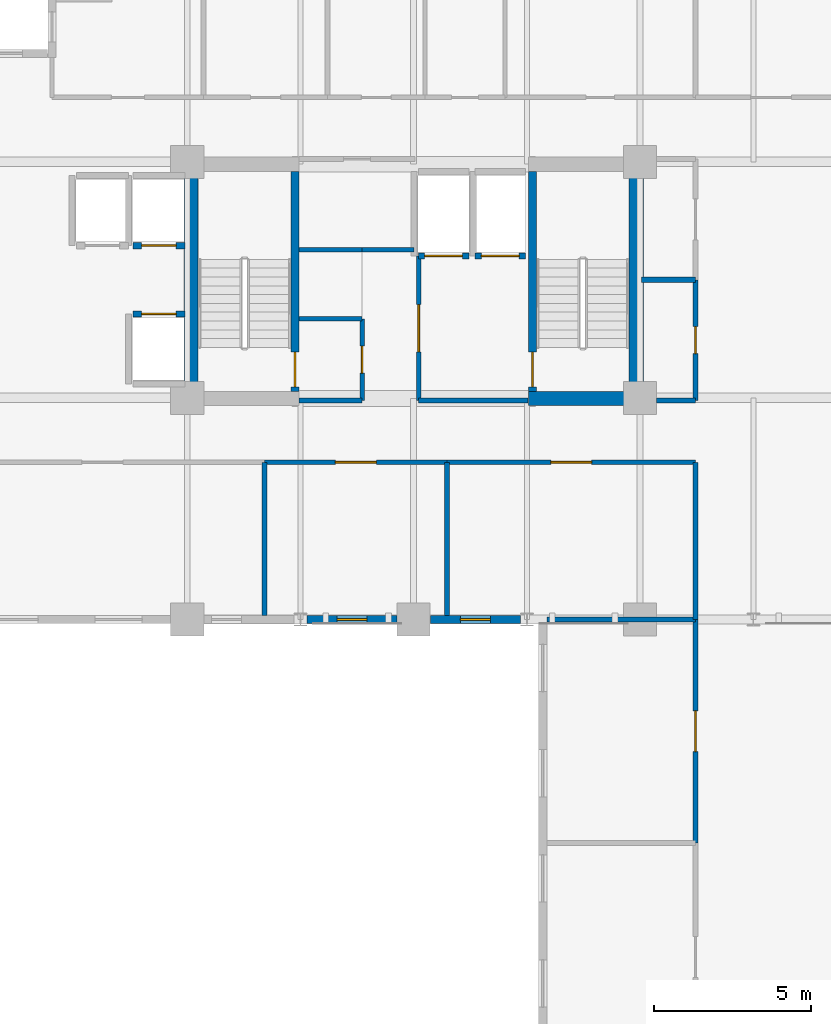
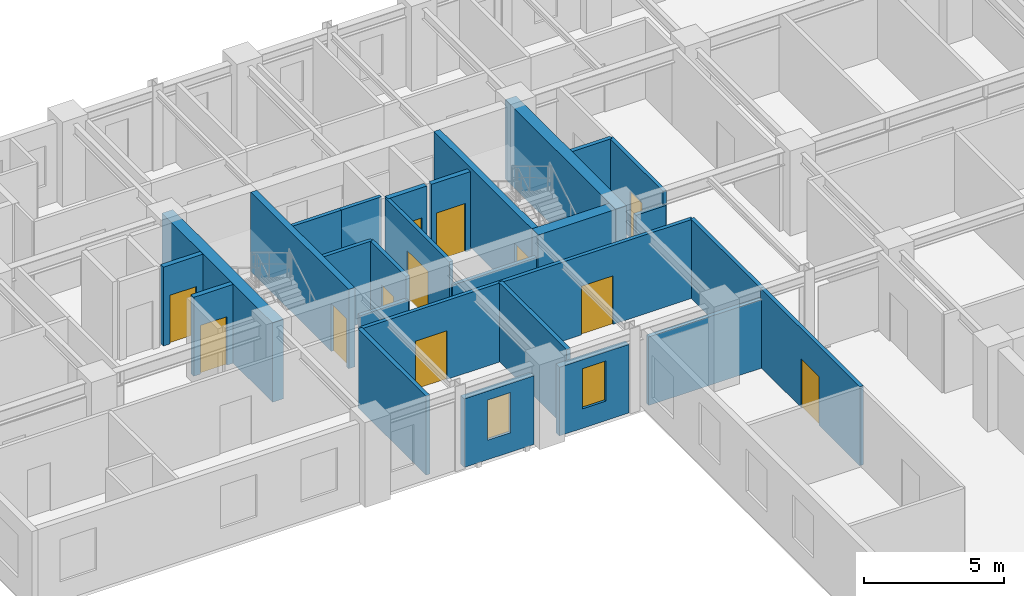
# One storey, part 5 of 13: 28 walls, 12 doors, 2 windows, 14 openings.
"""IFC4 building model written with IfcOpenShell, lengths in metres."""

from ifc_helpers import new_model, si_unit, direction, frame, frame_2d, origin, place, context, subcontext, project, spatial, rectangle, extrude, material, layer, layer_set, type_object, element, fill, save


model = new_model("IFC4")

# Units and contexts
model_context = context("Model", 3, precision=1e-05, world=origin(), true_north=direction((0.0, 1.0)))
body_context = subcontext(model_context, "Body", "Model", "MODEL_VIEW")
ifc_project = project(units=[si_unit("LENGTHUNIT", "METRE"), si_unit("AREAUNIT", "SQUARE_METRE"), si_unit("VOLUMEUNIT", "CUBIC_METRE"), si_unit("PLANEANGLEUNIT", "RADIAN"), si_unit("MASSUNIT", "GRAM", prefix="KILO")], contexts=[model_context])

# Site, building, storey
site_placement = place(None, origin())
site = spatial("IfcSite", under=ifc_project, at=site_placement, CompositionType="ELEMENT")
building_placement = place(site_placement, origin())
building = spatial("IfcBuilding", under=site, at=building_placement, Name="Kaliganga Portal Commons", CompositionType="ELEMENT")
storey_placement = place(building_placement, frame((0.0, 0.0, 180.89990234375)))
storey = spatial("IfcBuildingStorey", under=building, at=storey_placement, Name="L46", CompositionType="ELEMENT", Elevation=180.89990234375)

# Walls
ifc_material_1 = material(Name="Concrete C60/75", Category="concrete")
ifc_layer_1 = layer(ifc_material_1, 0.449951171875)
ifc_layer_set_1 = layer_set([ifc_layer_1], Name="Concrete C60/75")
wall_type_1 = type_object("IfcWallType", Name="WL-CORE-450", PredefinedType="SHEAR", material=ifc_layer_set_1)
for number, where, z_axis, x_axis, name in (
    (1, (14.52490234375, 28.39990234375, 0.0), (0.0, 0.0, 1.0), (0.0, 1.0, 0.0), "Core A West Shear Wall L46"),
    (2, (28.675048828125, 28.39990234375, 0.0), (0.0, 0.0, 1.0), (0.0, 1.0, 0.0), "Core A East Shear Wall L46"),
):
    element("IfcWall", number, at=place(storey_placement, frame(where, z_axis=z_axis, x_axis=x_axis)), inside=storey, type_object=wall_type_1, Name=name, PredefinedType="SHEAR", context=body_context, shape_type="SweptSolid", body=[
        extrude(rectangle(XDim=7.900146484375, YDim=0.449951171875, at=frame_2d((3.9501953125, 0.0))), origin(), (0.0, 0.0, 1.0), 3.460205078125),
    ])
wall_1_placement = place(storey_placement, frame((25.25, 28.625, 0.0), z_axis=(0.0, 0.0, 1.0), x_axis=(1.0, 0.0, 0.0)))
element("IfcWall", 3, at=wall_1_placement, inside=storey, type_object=wall_type_1, Name="Core A S-East Shear Wall L46", PredefinedType="SHEAR", context=body_context, shape_type="SweptSolid", body=[
    extrude(rectangle(XDim=3.199951171875, YDim=0.449951171875, at=frame_2d((1.60009765625, 0.0))), origin(), (0.0, 0.0, 1.0), 3.460205078125),
])

# Wall, opening, window
ifc_material_2 = material(Name="Insulated Aluminium-Clad Spandrel Assembly", Category="aluminium")
ifc_layer_2 = layer(ifc_material_2, 0.260009765625)
ifc_layer_set_2 = layer_set([ifc_layer_2], Name="Insulated Aluminium-Clad Spandrel Assembly")
wall_type_2 = type_object("IfcWallType", Name="WL-EXT-SPAND-260", PredefinedType="STANDARD", material=ifc_layer_set_2)
wall_2_placement = place(storey_placement, frame((21.073974609375, 21.60009765625, 0.0), z_axis=(0.0, 0.0, 1.0), x_axis=(-1.0, 0.0, 0.0)))
wall_2 = element("IfcWall", 4, at=wall_2_placement, inside=storey, type_object=wall_type_2, Name="Exterior Envelope Wall L46 P1-E10-S3", PredefinedType="STANDARD", context=body_context, shape_type="SweptSolid", body=[
    extrude(rectangle(XDim=2.87109375, YDim=0.260009765625, at=frame_2d((1.435546875, 0.0))), origin(), (0.0, 0.0, 1.0), 2.989990234375),
])
opening_1_placement = place(wall_2_placement, frame((0.96044921875, 0.0, 0.85009765625)))
opening_1 = element("IfcOpeningElement", 5, at=opening_1_placement, cuts=wall_2, Name="Opening W-04", PredefinedType="OPENING", context=body_context, shape_type="SweptSolid", body=[
    extrude(rectangle(XDim=0.949951171875, YDim=1.75, at=frame_2d((0.47509765625, 0.875))), frame((0.0, 0.14013671875, 0.0), z_axis=(0.0, -1.0, 0.0), x_axis=(1.0, 0.0, 0.0)), (0.0, 0.0, 1.0), 0.280029296875),
])
ifc_material_3 = material(Name="Thermally Broken Aluminium and Low-E Double Glazing", Category="aluminium")
window_type = type_object("IfcWindowType", Name="WIN-NARROW-950", PartitioningType="SINGLE_PANEL", PredefinedType="WINDOW", material=ifc_material_3)
window_1_placement = place(opening_1_placement, origin())
window_1 = element("IfcWindow", 6, at=window_1_placement, inside=storey, type_object=window_type, Name="Facade Window L46-P1E10S3-00", OverallHeight=1.75, OverallWidth=0.949951171875, PartitioningType="SINGLE_PANEL", PredefinedType="WINDOW", context=body_context, shape_type="SweptSolid", body=[
    extrude(rectangle(XDim=0.949951171875, YDim=1.75, at=frame_2d((0.47509765625, 0.875))), frame((0.0, 0.030029296875, 0.0), z_axis=(0.0, -1.0, 0.0), x_axis=(1.0, 0.0, 0.0)), (0.0, 0.0, 1.0), 0.06005859375),
])
fill(opening_1, window_1)

wall_3_placement = place(storey_placement, frame((24.9970703125, 21.60009765625, 0.0), z_axis=(0.0, 0.0, 1.0), x_axis=(-1.0, 0.0, 0.0)))
wall_3 = element("IfcWall", 7, at=wall_3_placement, inside=storey, type_object=wall_type_2, Name="Exterior Envelope Wall L46 P1-E10-S4", PredefinedType="STANDARD", context=body_context, shape_type="SweptSolid", body=[
    extrude(rectangle(XDim=2.87109375, YDim=0.260009765625, at=frame_2d((1.435546875, 0.0))), origin(), (0.0, 0.0, 1.0), 2.989990234375),
])
opening_2_placement = place(wall_3_placement, frame((0.96044921875, 0.0, 0.85009765625)))
opening_2 = element("IfcOpeningElement", 8, at=opening_2_placement, cuts=wall_3, Name="Opening W-04", PredefinedType="OPENING", context=body_context, shape_type="SweptSolid", body=[
    extrude(rectangle(XDim=0.949951171875, YDim=1.75, at=frame_2d((0.47509765625, 0.875))), frame((0.0, 0.14013671875, 0.0), z_axis=(0.0, -1.0, 0.0), x_axis=(1.0, 0.0, 0.0)), (0.0, 0.0, 1.0), 0.280029296875),
])
window_2_placement = place(opening_2_placement, origin())
window_2 = element("IfcWindow", 9, at=window_2_placement, inside=storey, type_object=window_type, Name="Facade Window L46-P1E10S4-00", OverallHeight=1.75, OverallWidth=0.949951171875, PartitioningType="SINGLE_PANEL", PredefinedType="WINDOW", context=body_context, shape_type="SweptSolid", body=[
    extrude(rectangle(XDim=0.949951171875, YDim=1.75, at=frame_2d((0.47509765625, 0.875))), frame((0.0, 0.030029296875, 0.0), z_axis=(0.0, -1.0, 0.0), x_axis=(1.0, 0.0, 0.0)), (0.0, 0.0, 1.0), 0.06005859375),
])
fill(opening_2, window_2)

# Wall, opening, door
ifc_material_4 = material(Name="Fire-Rated Gypsum Board on Steel Stud", Category="steel")
ifc_layer_3 = layer(ifc_material_4, 0.14990234375)
ifc_layer_set_3 = layer_set([ifc_layer_3], Name="Fire-Rated Gypsum Board on Steel Stud")
wall_type_3 = type_object("IfcWallType", Name="WL-PART-CORR-150", PredefinedType="PARTITIONING", material=ifc_layer_set_3)
wall_4_placement = place(storey_placement, frame((22.659912109375, 26.60009765625, 0.0), z_axis=(0.0, 0.0, 1.0), x_axis=(1.0, 0.0, 0.0)))
wall_4 = element("IfcWall", 10, at=wall_4_placement, inside=storey, type_object=wall_type_3, Name="Interior Partition L46-008", PredefinedType="PARTITIONING", context=body_context, shape_type="SweptSolid", body=[
    extrude(rectangle(XDim=7.900146484375, YDim=0.14990234375, at=frame_2d((3.9501953125, 0.0))), origin(), (0.0, 0.0, 1.0), 3.440185546875),
])
opening_3_placement = place(wall_4_placement, frame((3.300048828125, 0.0, 0.0)))
opening_3 = element("IfcOpeningElement", 11, at=opening_3_placement, cuts=wall_4, Name="Opening RD-03", PredefinedType="OPENING", context=body_context, shape_type="SweptSolid", body=[
    extrude(rectangle(XDim=1.300048828125, YDim=2.1201171875, at=frame_2d((0.64990234375, 1.06005859375))), frame((0.0, 0.0849609375, 0.0), z_axis=(0.0, -1.0, 0.0), x_axis=(1.0, 0.0, 0.0)), (0.0, 0.0, 1.0), 0.169921875),
])
ifc_material_5 = material(Name="Glazed Timber Seminar Vision Door", Category="wood")
door_type_1 = type_object("IfcDoorType", Name="DR-STUDY-1300", OperationType="DOUBLE_DOOR_SINGLE_SWING", PredefinedType="DOOR", material=ifc_material_5)
door_1_placement = place(opening_3_placement, origin())
door_1 = element("IfcDoor", 12, at=door_1_placement, inside=storey, type_object=door_type_1, Name="Interior Door L46-AS04", OperationType="DOUBLE_DOOR_SINGLE_SWING", OverallHeight=2.1201171875, OverallWidth=1.300048828125, PredefinedType="DOOR", context=body_context, shape_type="SweptSolid", body=[
    extrude(rectangle(XDim=1.300048828125, YDim=2.1201171875, at=frame_2d((0.64990234375, 1.06005859375))), frame((0.0, 0.02490234375, 0.0), z_axis=(0.0, -1.0, 0.0), x_axis=(1.0, 0.0, 0.0)), (0.0, 0.0, 1.0), 0.050048828125),
])
fill(opening_3, door_1)

wall_5_placement = place(storey_placement, frame((30.56005859375, 14.5, 0.0), z_axis=(0.0, 0.0, 1.0), x_axis=(0.0, 1.0, 0.0)))
wall_5 = element("IfcWall", 13, at=wall_5_placement, inside=storey, type_object=wall_type_3, Name="Interior Partition L46-013", PredefinedType="PARTITIONING", context=body_context, shape_type="SweptSolid", body=[
    extrude(rectangle(XDim=7.10009765625, YDim=0.14990234375, at=frame_2d((3.550048828125, 0.0))), origin(), (0.0, 0.0, 1.0), 3.440185546875),
])
opening_4_placement = place(wall_5_placement, frame((2.89990234375, 0.0, 0.0)))
opening_4 = element("IfcOpeningElement", 14, at=opening_4_placement, cuts=wall_5, Name="Opening RD-03", PredefinedType="OPENING", context=body_context, shape_type="SweptSolid", body=[
    extrude(rectangle(XDim=1.300048828125, YDim=2.1201171875, at=frame_2d((0.64990234375, 1.06005859375))), frame((0.0, 0.0849609375, 0.0), z_axis=(0.0, -1.0, 0.0), x_axis=(1.0, 0.0, 0.0)), (0.0, 0.0, 1.0), 0.169921875),
])
door_2_placement = place(opening_4_placement, origin())
door_2 = element("IfcDoor", 15, at=door_2_placement, inside=storey, type_object=door_type_1, Name="Interior Door L46-KW02", OperationType="DOUBLE_DOOR_SINGLE_SWING", OverallHeight=2.1201171875, OverallWidth=1.300048828125, PredefinedType="DOOR", context=body_context, shape_type="SweptSolid", body=[
    extrude(rectangle(XDim=1.300048828125, YDim=2.1201171875, at=frame_2d((0.64990234375, 1.06005859375))), frame((0.0, 0.02490234375, 0.0), z_axis=(0.0, -1.0, 0.0), x_axis=(1.0, 0.0, 0.0)), (0.0, 0.0, 1.0), 0.050048828125),
])
fill(opening_4, door_2)

wall_6_placement = place(storey_placement, frame((16.860107421875, 26.60009765625, 0.0), z_axis=(0.0, 0.0, 1.0), x_axis=(1.0, 0.0, 0.0)))
wall_6 = element("IfcWall", 16, at=wall_6_placement, inside=storey, type_object=wall_type_3, Name="Interior Partition L46-022", PredefinedType="PARTITIONING", context=body_context, shape_type="SweptSolid", body=[
    extrude(rectangle(XDim=5.7998046875, YDim=0.14990234375, at=frame_2d((2.89990234375, 0.0))), origin(), (0.0, 0.0, 1.0), 3.440185546875),
])
opening_5_placement = place(wall_6_placement, frame((2.25, 0.0, 0.0)))
opening_5 = element("IfcOpeningElement", 17, at=opening_5_placement, cuts=wall_6, Name="Opening RD-03", PredefinedType="OPENING", context=body_context, shape_type="SweptSolid", body=[
    extrude(rectangle(XDim=1.300048828125, YDim=2.1201171875, at=frame_2d((0.64990234375, 1.06005859375))), frame((0.0, 0.0849609375, 0.0), z_axis=(0.0, -1.0, 0.0), x_axis=(1.0, 0.0, 0.0)), (0.0, 0.0, 1.0), 0.169921875),
])
door_3_placement = place(opening_5_placement, origin())
door_3 = element("IfcDoor", 18, at=door_3_placement, inside=storey, type_object=door_type_1, Name="Interior Door L46-AS03", OperationType="DOUBLE_DOOR_SINGLE_SWING", OverallHeight=2.1201171875, OverallWidth=1.300048828125, PredefinedType="DOOR", context=body_context, shape_type="SweptSolid", body=[
    extrude(rectangle(XDim=1.300048828125, YDim=2.1201171875, at=frame_2d((0.64990234375, 1.06005859375))), frame((0.0, 0.02490234375, 0.0), z_axis=(0.0, -1.0, 0.0), x_axis=(1.0, 0.0, 0.0)), (0.0, 0.0, 1.0), 0.050048828125),
])
fill(opening_5, door_3)

# Wall
wall_7_placement = place(storey_placement, frame((30.56005859375, 21.60009765625, 0.0), z_axis=(0.0, 0.0, 1.0), x_axis=(0.0, 1.0, 0.0)))
element("IfcWall", 19, at=wall_7_placement, inside=storey, type_object=wall_type_3, Name="Interior Partition L46-025", PredefinedType="PARTITIONING", context=body_context, shape_type="SweptSolid", body=[
    extrude(rectangle(XDim=5.0, YDim=0.14990234375, at=frame_2d((2.5, 0.0))), origin(), (0.0, 0.0, 1.0), 3.440185546875),
])

# Wall, opening, door
wall_8_placement = place(storey_placement, frame((30.56005859375, 28.56005859375, 0.0), z_axis=(0.0, 0.0, 1.0), x_axis=(0.0, 1.0, 0.0)))
wall_8 = element("IfcWall", 20, at=wall_8_placement, inside=storey, type_object=wall_type_3, Name="Interior Partition L46-037", PredefinedType="PARTITIONING", context=body_context, shape_type="SweptSolid", body=[
    extrude(rectangle(XDim=3.83984375, YDim=0.14990234375, at=frame_2d((1.919921875, 0.0))), origin(), (0.0, 0.0, 1.0), 3.440185546875),
])
opening_6_placement = place(wall_8_placement, frame((1.489990234375, 0.0, 0.0)))
opening_6 = element("IfcOpeningElement", 21, at=opening_6_placement, cuts=wall_8, Name="Opening WD-02", PredefinedType="OPENING", context=body_context, shape_type="SweptSolid", body=[
    extrude(rectangle(XDim=0.860107421875, YDim=2.02001953125, at=frame_2d((0.43017578125, 1.010009765625))), frame((0.0, 0.0849609375, 0.0), z_axis=(0.0, -1.0, 0.0), x_axis=(1.0, 0.0, 0.0)), (0.0, 0.0, 1.0), 0.169921875),
])
ifc_material_6 = material(Name="Fire-Rated Utility Closet Door", Category="wood")
door_type_2 = type_object("IfcDoorType", Name="DR-STORE-800", OperationType="NOTDEFINED", PredefinedType="DOOR", material=ifc_material_6)
door_4_placement = place(opening_6_placement, origin())
door_4 = element("IfcDoor", 22, at=door_4_placement, inside=storey, type_object=door_type_2, Name="Interior Door L46-CSRV_A1", OperationType="SINGLE_SWING_LEFT", OverallHeight=2.02001953125, OverallWidth=0.860107421875, PredefinedType="DOOR", context=body_context, shape_type="SweptSolid", body=[
    extrude(rectangle(XDim=0.860107421875, YDim=2.02001953125, at=frame_2d((0.43017578125, 1.010009765625))), frame((0.0, 0.02490234375, 0.0), z_axis=(0.0, -1.0, 0.0), x_axis=(1.0, 0.0, 0.0)), (0.0, 0.0, 1.0), 0.050048828125),
])
fill(opening_6, door_4)

wall_9_placement = place(storey_placement, frame((19.9599609375, 28.56005859375, 0.0), z_axis=(0.0, 0.0, 1.0), x_axis=(0.0, 1.0, 0.0)))
wall_9 = element("IfcWall", 23, at=wall_9_placement, inside=storey, type_object=wall_type_3, Name="Interior Partition L46-041", PredefinedType="PARTITIONING", context=body_context, shape_type="SweptSolid", body=[
    extrude(rectangle(XDim=2.599853515625, YDim=0.14990234375, at=frame_2d((1.2998046875, 0.0))), origin(), (0.0, 0.0, 1.0), 3.440185546875),
])
opening_7_placement = place(wall_9_placement, frame((0.8701171875, 0.0, 0.0)))
opening_7 = element("IfcOpeningElement", 24, at=opening_7_placement, cuts=wall_9, Name="Opening WD-02", PredefinedType="OPENING", context=body_context, shape_type="SweptSolid", body=[
    extrude(rectangle(XDim=0.860107421875, YDim=2.02001953125, at=frame_2d((0.43017578125, 1.010009765625))), frame((0.0, 0.0849609375, 0.0), z_axis=(0.0, -1.0, 0.0), x_axis=(1.0, 0.0, 0.0)), (0.0, 0.0, 1.0), 0.169921875),
])
door_5_placement = place(opening_7_placement, origin())
door_5 = element("IfcDoor", 25, at=door_5_placement, inside=storey, type_object=door_type_2, Name="Interior Door L46-CIN_A1", OperationType="SINGLE_SWING_LEFT", OverallHeight=2.02001953125, OverallWidth=0.860107421875, PredefinedType="DOOR", context=body_context, shape_type="SweptSolid", body=[
    extrude(rectangle(XDim=0.860107421875, YDim=2.02001953125, at=frame_2d((0.43017578125, 1.010009765625))), frame((0.0, 0.02490234375, 0.0), z_axis=(0.0, -1.0, 0.0), x_axis=(1.0, 0.0, 0.0)), (0.0, 0.0, 1.0), 0.050048828125),
])
fill(opening_7, door_5)

# Walls
wall_10_placement = place(storey_placement, frame((17.9599609375, 28.56005859375, 0.0), z_axis=(0.0, 0.0, 1.0), x_axis=(1.0, 0.0, 0.0)))
element("IfcWall", 26, at=wall_10_placement, inside=storey, type_object=wall_type_3, Name="Interior Partition L46-045", PredefinedType="PARTITIONING", context=body_context, shape_type="SweptSolid", body=[
    extrude(rectangle(XDim=2.0, YDim=0.14990234375, at=frame_2d((1.0, 0.0))), origin(), (0.0, 0.0, 1.0), 2.440185546875),
])
for number, where, z_axis, x_axis, name in (
    (27, (17.9599609375, 31.159912109375, 0.0), (0.0, 0.0, 1.0), (1.0, 0.0, 0.0), "Interior Partition L46-046"),
    (28, (17.9599609375, 33.360107421875, 0.0), (0.0, 0.0, 1.0), (1.0, 0.0, 0.0), "Interior Partition L46-047"),
):
    element("IfcWall", number, at=place(storey_placement, frame(where, z_axis=z_axis, x_axis=x_axis)), inside=storey, type_object=wall_type_3, Name=name, PredefinedType="PARTITIONING", context=body_context, shape_type="SweptSolid", body=[
        extrude(rectangle(XDim=2.0, YDim=0.14990234375, at=frame_2d((1.0, 0.0))), origin(), (0.0, 0.0, 1.0), 3.440185546875),
    ])
wall_11_placement = place(storey_placement, frame((29.324951171875, 28.56005859375, 0.0), z_axis=(0.0, 0.0, 1.0), x_axis=(1.0, 0.0, 0.0)))
element("IfcWall", 29, at=wall_11_placement, inside=storey, type_object=wall_type_3, Name="Interior Partition L46-049", PredefinedType="PARTITIONING", context=body_context, shape_type="SweptSolid", body=[
    extrude(rectangle(XDim=1.235107421875, YDim=0.14990234375, at=frame_2d((0.61767578125, 0.0))), origin(), (0.0, 0.0, 1.0), 2.840087890625),
])
wall_12_placement = place(storey_placement, frame((19.9599609375, 33.360107421875, 0.0), z_axis=(0.0, 0.0, 1.0), x_axis=(1.0, 0.0, 0.0)))
element("IfcWall", 30, at=wall_12_placement, inside=storey, type_object=wall_type_3, Name="Interior Partition L46-051", PredefinedType="PARTITIONING", context=body_context, shape_type="SweptSolid", body=[
    extrude(rectangle(XDim=1.650146484375, YDim=0.14990234375, at=frame_2d((0.8251953125, 0.0))), origin(), (0.0, 0.0, 1.0), 3.440185546875),
])

# Wall, opening, door
wall_13_placement = place(storey_placement, frame((21.760009765625, 28.56005859375, 0.0), z_axis=(0.0, 0.0, 1.0), x_axis=(0.0, 1.0, 0.0)))
wall_13 = element("IfcWall", 31, at=wall_13_placement, inside=storey, type_object=wall_type_3, Name="Interior Partition L46-073", PredefinedType="PARTITIONING", context=body_context, shape_type="SweptSolid", body=[
    extrude(rectangle(XDim=4.599853515625, YDim=0.14990234375, at=frame_2d((2.2998046875, 0.0))), origin(), (0.0, 0.0, 1.0), 3.440185546875),
])
opening_8_placement = place(wall_13_placement, frame((1.550048828125, 0.0, 0.0)))
opening_8 = element("IfcOpeningElement", 32, at=opening_8_placement, cuts=wall_13, Name="Opening FD-01", PredefinedType="OPENING", context=body_context, shape_type="SweptSolid", body=[
    extrude(rectangle(XDim=1.5, YDim=2.10009765625, at=frame_2d((0.75, 1.050048828125))), frame((0.0, 0.0849609375, 0.0), z_axis=(0.0, -1.0, 0.0), x_axis=(1.0, 0.0, 0.0)), (0.0, 0.0, 1.0), 0.169921875),
])
ifc_material_7 = material(Name="Fire-Rated Hardwood and Georgian-Wired Vision Panel", Category="wood")
door_type_3 = type_object("IfcDoorType", Name="DR-LOBBY-1500", OperationType="DOUBLE_DOOR_SINGLE_SWING", PredefinedType="DOOR", material=ifc_material_7)
door_6_placement = place(opening_8_placement, origin())
door_6 = element("IfcDoor", 33, at=door_6_placement, inside=storey, type_object=door_type_3, Name="Interior Door L46-FFLOB_A", OperationType="DOUBLE_DOOR_SINGLE_SWING", OverallHeight=2.10009765625, OverallWidth=1.5, PredefinedType="DOOR", context=body_context, shape_type="SweptSolid", body=[
    extrude(rectangle(XDim=1.5, YDim=2.10009765625, at=frame_2d((0.75, 1.050048828125))), frame((0.0, 0.02490234375, 0.0), z_axis=(0.0, -1.0, 0.0), x_axis=(1.0, 0.0, 0.0)), (0.0, 0.0, 1.0), 0.050048828125),
])
fill(opening_8, door_6)

# Walls
wall_14_placement = place(storey_placement, frame((21.760009765625, 28.56005859375, 0.0), z_axis=(0.0, 0.0, 1.0), x_axis=(1.0, 0.0, 0.0)))
element("IfcWall", 34, at=wall_14_placement, inside=storey, type_object=wall_type_3, Name="Interior Partition L46-076", PredefinedType="PARTITIONING", context=body_context, shape_type="SweptSolid", body=[
    extrude(rectangle(XDim=3.47998046875, YDim=0.14990234375, at=frame_2d((1.739990234375, 0.0))), origin(), (0.0, 0.0, 1.0), 2.440185546875),
])
ifc_material_8 = material(Name="Twin-Stud Acoustic Gypsum Partition", Category="gypsum")
ifc_layer_4 = layer(ifc_material_8, 0.1650390625)
ifc_layer_set_4 = layer_set([ifc_layer_4], Name="Twin-Stud Acoustic Gypsum Partition")
wall_type_4 = type_object("IfcWallType", Name="WL-PART-UNIT-165", PredefinedType="PARTITIONING", material=ifc_layer_set_4)
for number, where, z_axis, x_axis, name in (
    (35, (16.860107421875, 21.73193359375, 0.0), (0.0, 0.0, 1.0), (0.0, 1.0, 0.0), "Interior Partition L46-065"),
    (36, (22.659912109375, 21.73193359375, 0.0), (0.0, 0.0, 1.0), (0.0, 1.0, 0.0), "Interior Partition L46-068"),
):
    element("IfcWall", number, at=place(storey_placement, frame(where, z_axis=z_axis, x_axis=x_axis)), inside=storey, type_object=wall_type_4, Name=name, PredefinedType="PARTITIONING", context=body_context, shape_type="SweptSolid", body=[
        extrude(rectangle(XDim=4.8681640625, YDim=0.1650390625, at=frame_2d((2.43408203125, 0.0))), origin(), (0.0, 0.0, 1.0), 3.440185546875),
    ])
wall_15_placement = place(storey_placement, frame((25.83203125, 21.60009765625, 0.0), z_axis=(0.0, 0.0, 1.0), x_axis=(1.0, 0.0, 0.0)))
element("IfcWall", 37, at=wall_15_placement, inside=storey, type_object=wall_type_4, Name="Interior Partition L46-072", PredefinedType="PARTITIONING", context=body_context, shape_type="SweptSolid", body=[
    extrude(rectangle(XDim=4.72802734375, YDim=0.1650390625, at=frame_2d((2.364013671875, 0.0))), origin(), (0.0, 0.0, 1.0), 2.989990234375),
])
wall_16_placement = place(storey_placement, frame((28.840087890625, 32.39990234375, 0.0), z_axis=(0.0, 0.0, 1.0), x_axis=(1.0, 0.0, 0.0)))
element("IfcWall", 38, at=wall_16_placement, inside=storey, type_object=wall_type_4, Name="Interior Partition L46-080", PredefinedType="PARTITIONING", context=body_context, shape_type="SweptSolid", body=[
    extrude(rectangle(XDim=1.719970703125, YDim=0.1650390625, at=frame_2d((0.85986328125, 0.0))), origin(), (0.0, 0.0, 1.0), 3.440185546875),
])

# Wall, opening, door
ifc_material_9 = material(Name="Fire-Rated Shaftwall Masonry Assembly", Category="masonry")
ifc_layer_5 = layer(ifc_material_9, 0.199951171875)
ifc_layer_set_5 = layer_set([ifc_layer_5], Name="Fire-Rated Shaftwall Masonry Assembly")
wall_type_5 = type_object("IfcWallType", Name="WL-SHAFT-200", PredefinedType="PARTITIONING", material=ifc_layer_set_5)
wall_17_placement = place(storey_placement, frame((12.675048828125, 33.485107421875, 0.0), z_axis=(0.0, 0.0, 1.0), x_axis=(1.0, 0.0, 0.0)))
wall_17 = element("IfcWall", 39, at=wall_17_placement, inside=storey, type_object=wall_type_5, Name="Lift PL-A3 Hoistway Shaft Wall L46-S", PredefinedType="PARTITIONING", context=body_context, shape_type="SweptSolid", body=[
    extrude(rectangle(XDim=1.64990234375, YDim=0.199951171875, at=frame_2d((0.824951171875, 0.0))), origin(), (0.0, 0.0, 1.0), 3.440185546875),
])
opening_9_placement = place(wall_17_placement, frame((0.27490234375, 0.0, 0.0)))
opening_9 = element("IfcOpeningElement", 40, at=opening_9_placement, cuts=wall_17, Name="Opening LD-01", PredefinedType="OPENING", context=body_context, shape_type="SweptSolid", body=[
    extrude(rectangle(XDim=1.10009765625, YDim=2.1201171875, at=frame_2d((0.550048828125, 1.06005859375))), frame((0.0, 0.10986328125, 0.0), z_axis=(0.0, -1.0, 0.0), x_axis=(1.0, 0.0, 0.0)), (0.0, 0.0, 1.0), 0.219970703125),
])
ifc_material_10 = material(Name="Brushed Stainless Steel 316 Lift Landing Door", Category="steel")
door_type_4 = type_object("IfcDoorType", Name="DR-LIFT-1100", OperationType="SLIDING_TO_LEFT", PredefinedType="DOOR", material=ifc_material_10)
door_7_placement = place(opening_9_placement, origin())
door_7 = element("IfcDoor", 41, at=door_7_placement, inside=storey, type_object=door_type_4, Name="Lift PL-A3 Sliding Landing Door L46", OperationType="SLIDING_TO_LEFT", OverallHeight=2.1201171875, OverallWidth=1.10009765625, PredefinedType="DOOR", context=body_context, shape_type="SweptSolid", body=[
    extrude(rectangle(XDim=1.10009765625, YDim=2.1201171875, at=frame_2d((0.550048828125, 1.06005859375))), frame((0.0, 0.02490234375, 0.0), z_axis=(0.0, -1.0, 0.0), x_axis=(1.0, 0.0, 0.0)), (0.0, 0.0, 1.0), 0.050048828125),
])
fill(opening_9, door_7)

wall_18_placement = place(storey_placement, frame((12.675048828125, 31.31494140625, 0.0), z_axis=(0.0, 0.0, 1.0), x_axis=(1.0, 0.0, 0.0)))
wall_18 = element("IfcWall", 42, at=wall_18_placement, inside=storey, type_object=wall_type_5, Name="Lift PL-A4 Hoistway Shaft Wall L46-N", PredefinedType="PARTITIONING", context=body_context, shape_type="SweptSolid", body=[
    extrude(rectangle(XDim=1.64990234375, YDim=0.199951171875, at=frame_2d((0.824951171875, 0.0))), origin(), (0.0, 0.0, 1.0), 3.440185546875),
])
opening_10_placement = place(wall_18_placement, frame((0.27490234375, 0.0, 0.0)))
opening_10 = element("IfcOpeningElement", 43, at=opening_10_placement, cuts=wall_18, Name="Opening LD-01", PredefinedType="OPENING", context=body_context, shape_type="SweptSolid", body=[
    extrude(rectangle(XDim=1.10009765625, YDim=2.1201171875, at=frame_2d((0.550048828125, 1.06005859375))), frame((0.0, 0.10986328125, 0.0), z_axis=(0.0, -1.0, 0.0), x_axis=(1.0, 0.0, 0.0)), (0.0, 0.0, 1.0), 0.219970703125),
])
door_8_placement = place(opening_10_placement, origin())
door_8 = element("IfcDoor", 44, at=door_8_placement, inside=storey, type_object=door_type_4, Name="Lift PL-A4 Sliding Landing Door L46", OperationType="SLIDING_TO_LEFT", OverallHeight=2.1201171875, OverallWidth=1.10009765625, PredefinedType="DOOR", context=body_context, shape_type="SweptSolid", body=[
    extrude(rectangle(XDim=1.10009765625, YDim=2.1201171875, at=frame_2d((0.550048828125, 1.06005859375))), frame((0.0, 0.02490234375, 0.0), z_axis=(0.0, -1.0, 0.0), x_axis=(1.0, 0.0, 0.0)), (0.0, 0.0, 1.0), 0.050048828125),
])
fill(opening_10, door_8)

wall_19_placement = place(storey_placement, frame((21.75, 33.159912109375, 0.0), z_axis=(0.0, 0.0, 1.0), x_axis=(1.0, 0.0, 0.0)))
wall_19 = element("IfcWall", 45, at=wall_19_placement, inside=storey, type_object=wall_type_5, Name="Lift FFL-1 Hoistway Shaft Wall L46-S", PredefinedType="PARTITIONING", context=body_context, shape_type="SweptSolid", body=[
    extrude(rectangle(XDim=1.60009765625, YDim=0.199951171875, at=frame_2d((0.800048828125, 0.0))), origin(), (0.0, 0.0, 1.0), 3.440185546875),
])
opening_11_placement = place(wall_19_placement, frame((0.199951171875, 0.0, 0.0)))
opening_11 = element("IfcOpeningElement", 46, at=opening_11_placement, cuts=wall_19, Name="Opening LD-02", PredefinedType="OPENING", context=body_context, shape_type="SweptSolid", body=[
    extrude(rectangle(XDim=1.199951171875, YDim=2.1201171875, at=frame_2d((0.60009765625, 1.06005859375))), frame((0.0, 0.10986328125, 0.0), z_axis=(0.0, -1.0, 0.0), x_axis=(1.0, 0.0, 0.0)), (0.0, 0.0, 1.0), 0.219970703125),
])
ifc_material_11 = material(Name="Brushed Stainless Steel 316 Stretcher Lift Landing Door", Category="steel")
door_type_5 = type_object("IfcDoorType", Name="DR-LIFT-1200", OperationType="SLIDING_TO_RIGHT", PredefinedType="DOOR", material=ifc_material_11)
door_9_placement = place(opening_11_placement, origin())
door_9 = element("IfcDoor", 47, at=door_9_placement, inside=storey, type_object=door_type_5, Name="Lift FFL-1 Sliding Landing Door L46", OperationType="SLIDING_TO_RIGHT", OverallHeight=2.1201171875, OverallWidth=1.199951171875, PredefinedType="DOOR", context=body_context, shape_type="SweptSolid", body=[
    extrude(rectangle(XDim=1.199951171875, YDim=2.1201171875, at=frame_2d((0.60009765625, 1.06005859375))), frame((0.0, 0.02490234375, 0.0), z_axis=(0.0, -1.0, 0.0), x_axis=(1.0, 0.0, 0.0)), (0.0, 0.0, 1.0), 0.050048828125),
])
fill(opening_11, door_9)

wall_20_placement = place(storey_placement, frame((23.550048828125, 33.159912109375, 0.0), z_axis=(0.0, 0.0, 1.0), x_axis=(1.0, 0.0, 0.0)))
wall_20 = element("IfcWall", 48, at=wall_20_placement, inside=storey, type_object=wall_type_5, Name="Lift FFL-2 Hoistway Shaft Wall L46-S", PredefinedType="PARTITIONING", context=body_context, shape_type="SweptSolid", body=[
    extrude(rectangle(XDim=1.599853515625, YDim=0.199951171875, at=frame_2d((0.7998046875, 0.0))), origin(), (0.0, 0.0, 1.0), 3.440185546875),
])
opening_12_placement = place(wall_20_placement, frame((0.199951171875, 0.0, 0.0)))
opening_12 = element("IfcOpeningElement", 49, at=opening_12_placement, cuts=wall_20, Name="Opening LD-02", PredefinedType="OPENING", context=body_context, shape_type="SweptSolid", body=[
    extrude(rectangle(XDim=1.199951171875, YDim=2.1201171875, at=frame_2d((0.60009765625, 1.06005859375))), frame((0.0, 0.10986328125, 0.0), z_axis=(0.0, -1.0, 0.0), x_axis=(1.0, 0.0, 0.0)), (0.0, 0.0, 1.0), 0.219970703125),
])
door_10_placement = place(opening_12_placement, origin())
door_10 = element("IfcDoor", 50, at=door_10_placement, inside=storey, type_object=door_type_5, Name="Lift FFL-2 Sliding Landing Door L46", OperationType="SLIDING_TO_RIGHT", OverallHeight=2.1201171875, OverallWidth=1.199951171875, PredefinedType="DOOR", context=body_context, shape_type="SweptSolid", body=[
    extrude(rectangle(XDim=1.199951171875, YDim=2.1201171875, at=frame_2d((0.60009765625, 1.06005859375))), frame((0.0, 0.02490234375, 0.0), z_axis=(0.0, -1.0, 0.0), x_axis=(1.0, 0.0, 0.0)), (0.0, 0.0, 1.0), 0.050048828125),
])
fill(opening_12, door_10)

ifc_material_12 = material(Name="Concrete C50/60", Category="concrete")
ifc_layer_6 = layer(ifc_material_12, 0.25)
ifc_layer_set_6 = layer_set([ifc_layer_6], Name="Concrete C50/60")
wall_type_6 = type_object("IfcWallType", Name="WL-STAIR-250", PredefinedType="SHEAR", material=ifc_layer_set_6)
wall_21_placement = place(storey_placement, frame((17.824951171875, 28.85009765625, 0.0), z_axis=(0.0, 0.0, 1.0), x_axis=(0.0, 1.0, 0.0)))
wall_21 = element("IfcWall", 51, at=wall_21_placement, inside=storey, type_object=wall_type_6, Name="Stair A1 Enclosure Shear Wall L46", PredefinedType="SHEAR", context=body_context, shape_type="SweptSolid", body=[
    extrude(rectangle(XDim=7.0, YDim=0.25, at=frame_2d((3.5, 0.0))), origin(), (0.0, 0.0, 1.0), 3.460205078125),
])
opening_13_placement = place(wall_21_placement, frame((0.14990234375, 0.0, 0.0)))
opening_13 = element("IfcOpeningElement", 52, at=opening_13_placement, cuts=wall_21, Name="Opening SD-01", PredefinedType="OPENING", context=body_context, shape_type="SweptSolid", body=[
    extrude(rectangle(XDim=1.10009765625, YDim=2.080078125, at=frame_2d((0.550048828125, 1.0400390625))), frame((0.0, 0.135009765625, 0.0), z_axis=(0.0, -1.0, 0.0), x_axis=(1.0, 0.0, 0.0)), (0.0, 0.0, 1.0), 0.27001953125),
])
ifc_material_13 = material(Name="Galvanized Steel Fire Door Leaf and Frame", Category="steel")
door_type_6 = type_object("IfcDoorType", Name="DR-STAIR-1100", OperationType="NOTDEFINED", PredefinedType="DOOR", material=ifc_material_13)
door_11_placement = place(opening_13_placement, origin())
door_11 = element("IfcDoor", 53, at=door_11_placement, inside=storey, type_object=door_type_6, Name="Protected Stair ST-A1 Fire Door L46", OperationType="SINGLE_SWING_RIGHT", OverallHeight=2.080078125, OverallWidth=1.10009765625, PredefinedType="DOOR", context=body_context, shape_type="SweptSolid", body=[
    extrude(rectangle(XDim=1.10009765625, YDim=2.080078125, at=frame_2d((0.550048828125, 1.0400390625))), frame((0.0, 0.02490234375, 0.0), z_axis=(0.0, -1.0, 0.0), x_axis=(1.0, 0.0, 0.0)), (0.0, 0.0, 1.0), 0.050048828125),
])
fill(opening_13, door_11)

wall_22_placement = place(storey_placement, frame((25.375, 28.85009765625, 0.0), z_axis=(0.0, 0.0, 1.0), x_axis=(0.0, 1.0, 0.0)))
wall_22 = element("IfcWall", 54, at=wall_22_placement, inside=storey, type_object=wall_type_6, Name="Stair A2 Enclosure Shear Wall L46", PredefinedType="SHEAR", context=body_context, shape_type="SweptSolid", body=[
    extrude(rectangle(XDim=7.0, YDim=0.25, at=frame_2d((3.5, 0.0))), origin(), (0.0, 0.0, 1.0), 3.460205078125),
])
opening_14_placement = place(wall_22_placement, frame((0.14990234375, 0.0, 0.0)))
opening_14 = element("IfcOpeningElement", 55, at=opening_14_placement, cuts=wall_22, Name="Opening SD-01", PredefinedType="OPENING", context=body_context, shape_type="SweptSolid", body=[
    extrude(rectangle(XDim=1.10009765625, YDim=2.080078125, at=frame_2d((0.550048828125, 1.0400390625))), frame((0.0, 0.135009765625, 0.0), z_axis=(0.0, -1.0, 0.0), x_axis=(1.0, 0.0, 0.0)), (0.0, 0.0, 1.0), 0.27001953125),
])
door_12_placement = place(opening_14_placement, origin())
door_12 = element("IfcDoor", 56, at=door_12_placement, inside=storey, type_object=door_type_6, Name="Protected Stair ST-A2 Fire Door L46", OperationType="SINGLE_SWING_LEFT", OverallHeight=2.080078125, OverallWidth=1.10009765625, PredefinedType="DOOR", context=body_context, shape_type="SweptSolid", body=[
    extrude(rectangle(XDim=1.10009765625, YDim=2.080078125, at=frame_2d((0.550048828125, 1.0400390625))), frame((0.0, 0.02490234375, 0.0), z_axis=(0.0, -1.0, 0.0), x_axis=(1.0, 0.0, 0.0)), (0.0, 0.0, 1.0), 0.050048828125),
])
fill(opening_14, door_12)

save(model, "model.ifc")
